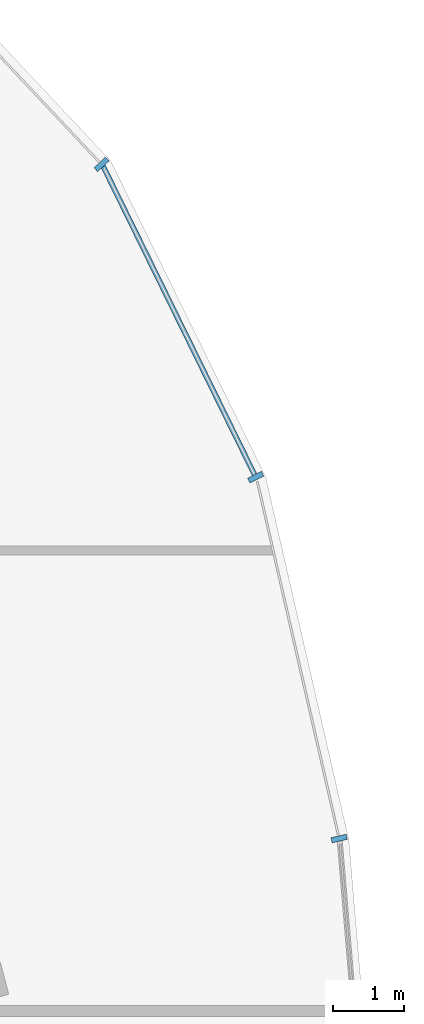
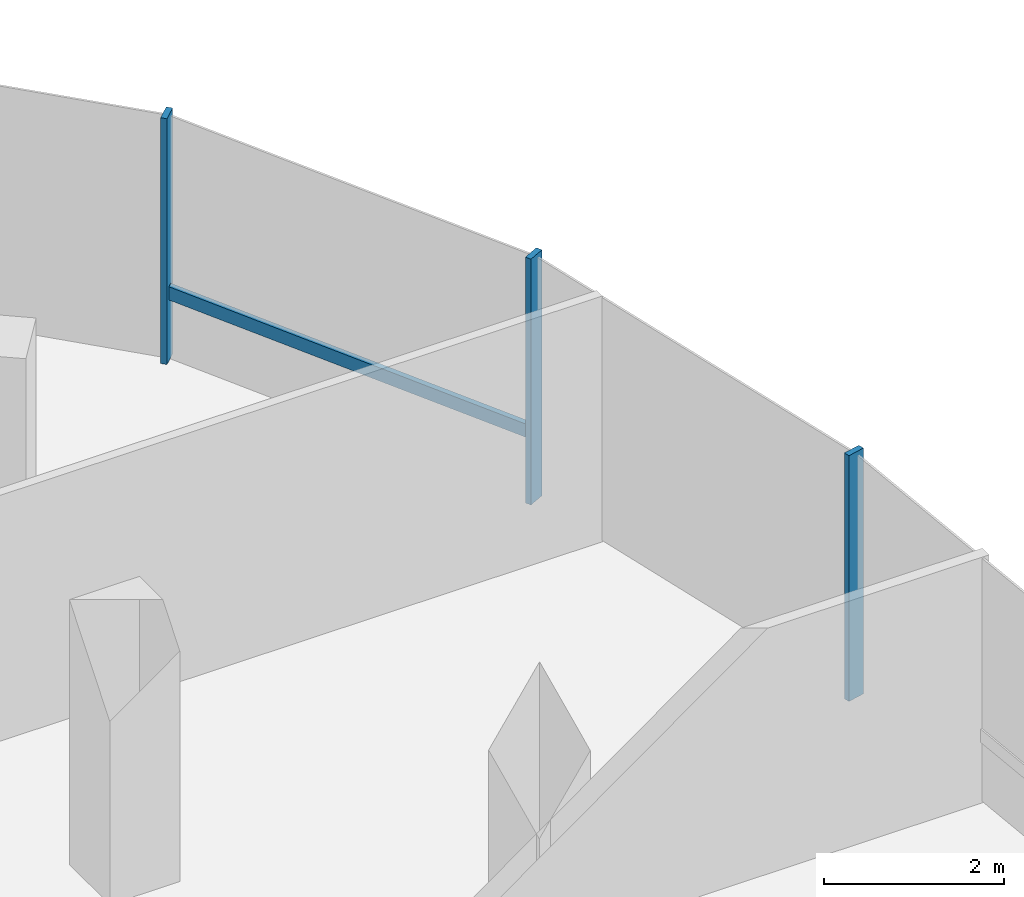
# One storey, part 11 of 25: 4 members, 1 element without a shape of its own.
"""IFC4 building model written with IfcOpenShell, lengths in metres."""

import ifcopenshell
import ifcopenshell.guid

model = None  # the IFC model being written
_history = None  # IfcOwnerHistory: only IFC2X3 demands one
_inside = {}  # id of a spatial element -> (the spatial element, [elements in it])
_under = {}  # id of a project, library or spatial element -> (it, [spatial elements below it])
_declared = {}  # id of a project -> (the project, [libraries it declares])
_typed = {}  # id of a type object -> (the type object, [elements of that type])
_made_of = {}  # id of a material, layer set ... -> (it, [elements and type objects made of it])


def new_model(schema):
    """Start an empty IFC model of exactly this schema.

    Asked for "IFC4X3", IfcOpenShell would pick the latest addendum, in which some entities
    have other attributes; the version numbers below select the first issue.
    IFC2X3 requires an IfcOwnerHistory on every rooted entity: one is made here for all.
    """
    global model, _history
    if schema == "IFC4X3":
        model = ifcopenshell.file(schema_version=(4, 3, 0, 0))
    else:
        model = ifcopenshell.file(schema=schema)
    _inside.clear()
    _under.clear()
    _declared.clear()
    _typed.clear()
    _made_of.clear()
    _history = None
    if model.schema == "IFC2X3":
        org = make("IfcOrganization", Name="unknown")
        user = make(
            "IfcPersonAndOrganization",
            ThePerson=make("IfcPerson", FamilyName="unknown"),
            TheOrganization=org,
        )
        app = make(
            "IfcApplication",
            ApplicationDeveloper=org,
            Version="unknown",
            ApplicationFullName="unknown",
            ApplicationIdentifier="unknown",
        )
        _history = make(
            "IfcOwnerHistory",
            OwningUser=user,
            OwningApplication=app,
            ChangeAction="ADDED",
            CreationDate=0,
        )
    return model


def make(cls, **values):
    """One entity of the class cls with the attributes given. An attribute that is None is left unset."""
    return model.create_entity(
        cls, **{name: value for name, value in values.items() if value is not None}
    )


def rooted(cls, **values):
    """An entity with a GlobalId (a new one), such as an element, a storey or a relation."""
    return make(cls, GlobalId=ifcopenshell.guid.new(), OwnerHistory=_history, **values)


def si_unit(unit_type, name, prefix=None):
    """IfcSIUnit, for example si_unit("LENGTHUNIT", "METRE", prefix="MILLI")."""
    return make("IfcSIUnit", UnitType=unit_type, Prefix=prefix, Name=name)


def assignment(units):
    """IfcUnitAssignment: the units of a project."""
    return None if units is None else make("IfcUnitAssignment", Units=units)


def point(xyz):
    """IfcCartesianPoint."""
    return None if xyz is None else make("IfcCartesianPoint", Coordinates=xyz)


def direction(xyz):
    """IfcDirection."""
    return None if xyz is None else make("IfcDirection", DirectionRatios=xyz)


def frame(location, z_axis=None, x_axis=None):
    """IfcAxis2Placement3D, a coordinate frame: its origin and axes. An axis left out is left unset."""
    return make(
        "IfcAxis2Placement3D",
        Location=point(location),
        Axis=direction(z_axis),
        RefDirection=direction(x_axis),
    )


def frame_2d(location, x_axis=None):
    """IfcAxis2Placement2D, a coordinate frame in the plane: its origin and x axis."""
    return make(
        "IfcAxis2Placement2D", Location=point(location), RefDirection=direction(x_axis)
    )


def origin():
    """The frame at (0, 0, 0) with its axes left unset."""
    return frame((0.0, 0.0, 0.0))


def origin_2d():
    """The frame at (0, 0) in the plane with its x axis left unset."""
    return frame_2d((0.0, 0.0))


def place(relative_to, where):
    """IfcLocalPlacement: puts the frame where relative to a parent placement (None: the world)."""
    return make(
        "IfcLocalPlacement", PlacementRelTo=relative_to, RelativePlacement=where
    )


def context(
    kind, dimensions, precision=None, world=None, true_north=None, identifier=None
):
    """IfcGeometricRepresentationContext, for example the 3D "Model" context."""
    return make(
        "IfcGeometricRepresentationContext",
        ContextIdentifier=identifier,
        ContextType=kind,
        CoordinateSpaceDimension=dimensions,
        Precision=precision,
        WorldCoordinateSystem=world,
        TrueNorth=true_north,
    )


def subcontext(parent, identifier, kind, view, scale=None):
    """IfcGeometricRepresentationSubContext, for example "Body" below "Model"."""
    return make(
        "IfcGeometricRepresentationSubContext",
        ContextIdentifier=identifier,
        ContextType=kind,
        ParentContext=parent,
        TargetScale=scale,
        TargetView=view,
    )


def project(units=None, contexts=None):
    """IfcProject with its units and contexts."""
    return rooted(
        "IfcProject",
        Name="project",
        RepresentationContexts=contexts,
        UnitsInContext=assignment(units),
    )


def spatial(cls, under=None, at=None, **own):
    """A site, building, storey or space (cls), placed at a placement, below another one or the project."""
    s = rooted(cls, ObjectPlacement=at, **own)
    if under is not None:
        _under.setdefault(under.id(), (under, []))[1].append(s)
    return s


def profile(cls, at=None, kind="AREA", **sizes):
    """A parametric profile (cls). Its sizes go by their IFC names, for example OverallWidth=200.0."""
    return make(cls, ProfileType=kind, Position=at, **sizes)


def rectangle(**sizes):
    """IfcRectangleProfileDef."""
    return profile("IfcRectangleProfileDef", **sizes)


def extrude(swept, where, along, depth):
    """IfcExtrudedAreaSolid: the profile swept, set in the frame where, extruded along a direction by depth."""
    return make(
        "IfcExtrudedAreaSolid",
        SweptArea=swept,
        Position=where,
        ExtrudedDirection=direction(along),
        Depth=depth,
    )


def shape(context_of_items, identifier, shape_type, items):
    """IfcShapeRepresentation: the items that make up one representation, for example the "Body"."""
    return make(
        "IfcShapeRepresentation",
        ContextOfItems=context_of_items,
        RepresentationIdentifier=identifier,
        RepresentationType=shape_type,
        Items=items,
    )


def material(Name=None, Category=None):
    """IfcMaterial."""
    return make("IfcMaterial", Name=Name, Category=Category)


def material_profile(
    of_material, cross_section, Name=None, Category=None, Priority=None
):
    """IfcMaterialProfile: a cross section and its material."""
    return make(
        "IfcMaterialProfile",
        Name=Name,
        Material=of_material,
        Profile=cross_section,
        Priority=Priority,
        Category=Category,
    )


def profile_set(profiles, Name=None, composite=None):
    """IfcMaterialProfileSet."""
    return make(
        "IfcMaterialProfileSet",
        Name=Name,
        MaterialProfiles=profiles,
        CompositeProfile=composite,
    )


def made_of(thing, what):
    """Note that an element or type object is made of a material, layer set ...; save() writes the relation."""
    if what is not None:
        _made_of.setdefault(what.id(), (what, []))[1].append(thing)
    return thing


def type_object(cls, material=None, **own):
    """A type object (cls), such as IfcWallType, which elements share."""
    return made_of(rooted(cls, **own), material)


def element(
    cls,
    number,
    at=None,
    inside=None,
    cuts=None,
    type_object=None,
    material=None,
    context=None,
    identifier="Body",
    shape_type=None,
    held_by="IfcProductDefinitionShape",
    body=None,
    shapes=None,
    **own,
):
    """One element of the class cls, such as IfcWall. Its Tag is "e" and its number.

    at: its placement. inside: the storey or other place that contains it. cuts: it is an
    opening in that element (IfcRelVoidsElement). A single representation is given by context,
    identifier, shape_type and body (its items); several are given by shapes. held_by: the class
    of the entity that holds the representations. save() writes the other relations.
    """
    e = rooted(cls, Tag="e%d" % number, ObjectPlacement=at, **own)
    if body is not None:
        shapes = [shape(context, identifier, shape_type, body)]
    if shapes is not None:
        e.Representation = make(held_by, Representations=shapes)
    if inside is not None:
        _inside.setdefault(inside.id(), (inside, []))[1].append(e)
    if cuts is not None:
        rooted(
            "IfcRelVoidsElement", RelatingBuildingElement=cuts, RelatedOpeningElement=e
        )
    if type_object is not None:
        _typed.setdefault(type_object.id(), (type_object, []))[1].append(e)
    return made_of(e, material)


def aggregate(whole, parts):
    """IfcRelAggregates: a whole, such as a stair, and the parts it consists of."""
    return rooted("IfcRelAggregates", RelatingObject=whole, RelatedObjects=parts)


def save(model, path):
    """Write the relations noted so far, then the file.

    IfcRelAggregates (storeys below a building ...), IfcRelContainedInSpatialStructure (elements
    in a storey), IfcRelDefinesByType, IfcRelAssociatesMaterial and IfcRelDeclares: one each for
    every whole, place, type object, material and project.
    """
    for whole, parts in _under.values():
        aggregate(whole, parts)
    for where, things in _inside.values():
        rooted(
            "IfcRelContainedInSpatialStructure",
            RelatedElements=things,
            RelatingStructure=where,
        )
    for kind, things in _typed.values():
        rooted("IfcRelDefinesByType", RelatedObjects=things, RelatingType=kind)
    for what, things in _made_of.values():
        rooted("IfcRelAssociatesMaterial", RelatedObjects=things, RelatingMaterial=what)
    for by, libraries in _declared.values():
        rooted("IfcRelDeclares", RelatingContext=by, RelatedDefinitions=libraries)
    model.write(path)


model = new_model("IFC4")

# Units and contexts
model_context = context("Model", 3, precision=1e-05, world=origin(), true_north=direction((0.0, 1.0)))
body_context = subcontext(model_context, "Body", "Model", "MODEL_VIEW")
ifc_project = project(units=[si_unit("LENGTHUNIT", "METRE"), si_unit("AREAUNIT", "SQUARE_METRE"), si_unit("VOLUMEUNIT", "CUBIC_METRE"), si_unit("PLANEANGLEUNIT", "RADIAN"), si_unit("MASSUNIT", "GRAM", prefix="KILO"), si_unit("THERMODYNAMICTEMPERATUREUNIT", "KELVIN"), si_unit("POWERUNIT", "WATT")], contexts=[model_context])

# Site, building, storey
site_placement = place(None, origin())
site = spatial("IfcSite", under=ifc_project, at=site_placement, CompositionType="ELEMENT")
building_placement = place(site_placement, origin())
building = spatial("IfcBuilding", under=site, at=building_placement, Name="Cundina Bronze Exchange", CompositionType="ELEMENT")
storey_placement = place(building_placement, frame((0.0, 0.0, 246.800048828125)))
storey = spatial("IfcBuildingStorey", under=building, at=storey_placement, Name="L65", CompositionType="ELEMENT", Elevation=246.800048828125)

# Curtain wall, members
ifc_material = material(Name="Anodised Bronze Aluminium 6063-T6", Category="aluminium")
curtain_wall_type = type_object("IfcCurtainWallType", Name="CWS-SKG-BRG", PredefinedType="NOTDEFINED", material=ifc_material)
curtain_wall_placement = place(storey_placement, origin())
curtain_wall = element("IfcCurtainWall", 1, at=curtain_wall_placement, inside=storey, type_object=curtain_wall_type, Name="L65 CW-06 Curtain Wall Run CWR-L65-E1", PredefinedType="NOTDEFINED")
ifc_material_profile_1 = material_profile(ifc_material, rectangle(XDim=0.074951171875, YDim=0.219970703125, at=origin_2d()), Name="AL75X220", Category="aluminium")
ifc_profile_set_1 = profile_set([ifc_material_profile_1], Name="Anodised Bronze Aluminium 6063-T6")
member_type_1 = type_object("IfcMemberType", Name="CWM-MUL-220", PredefinedType="MULLION", material=ifc_profile_set_1)
member_1_placement = place(storey_placement, frame((50.544677734375, 8.4111328125, 0.0), z_axis=(0.0, 0.0, 1.0), x_axis=(-0.223250116011, 0.974761194191, 0.0)))
member_1 = element("IfcMember", 2, at=member_1_placement, type_object=member_type_1, Name="CW-06 Mullion 2", PredefinedType="MULLION", context=body_context, shape_type="SweptSolid", body=[
    extrude(rectangle(XDim=0.074951171875, YDim=0.219970703125, at=origin_2d()), origin(), (0.0, 0.0, 1.0), 3.33984375),
])
member_2_placement = place(storey_placement, frame((49.369140625, 13.50390625, 0.0), z_axis=(0.0, 0.0, 1.0), x_axis=(-0.440566004113, 0.897720221461, 0.0)))
member_2 = element("IfcMember", 3, at=member_2_placement, type_object=member_type_1, Name="CW-06 Mullion 3", PredefinedType="MULLION", context=body_context, shape_type="SweptSolid", body=[
    extrude(rectangle(XDim=0.074951171875, YDim=0.219970703125, at=origin_2d()), origin(), (0.0, 0.0, 1.0), 3.33984375),
])
member_3_placement = place(storey_placement, frame((47.1962890625, 17.910400390625, 0.0), z_axis=(0.0, 0.0, 1.0), x_axis=(-0.684292606175, 0.729207535023, 0.0)))
member_3 = element("IfcMember", 4, at=member_3_placement, type_object=member_type_1, Name="CW-06 Mullion 4", PredefinedType="MULLION", context=body_context, shape_type="SweptSolid", body=[
    extrude(rectangle(XDim=0.074951171875, YDim=0.219970703125, at=origin_2d()), origin(), (0.0, 0.0, 1.0), 3.33984375),
])
ifc_material_profile_2 = material_profile(ifc_material, rectangle(XDim=0.070068359375, YDim=0.179931640625, at=origin_2d()), Name="AL70X180", Category="aluminium")
ifc_profile_set_2 = profile_set([ifc_material_profile_2], Name="Anodised Bronze Aluminium 6063-T6")
member_type_2 = type_object("IfcMemberType", Name="CWM-TRN-180", PredefinedType="USERDEFINED", material=ifc_profile_set_2)
member_4_placement = place(storey_placement, frame((49.35107421875, 13.541015625, 0.919921875), z_axis=(-0.440554408939, 0.897725911826, 0.0), x_axis=(-0.897725911826, -0.440554408939, 0.0)))
member_4 = element("IfcMember", 5, at=member_4_placement, type_object=member_type_2, Name="CW-06 Spandrel Transom 3", ObjectType="TRANSOM", PredefinedType="USERDEFINED", context=body_context, shape_type="SweptSolid", body=[
    extrude(rectangle(XDim=0.070068359375, YDim=0.179931640625, at=origin_2d()), origin(), (0.0, 0.0, 1.0), 4.848388671875),
])
aggregate(curtain_wall, [member_1, member_2, member_4, member_3])

save(model, "model.ifc")
